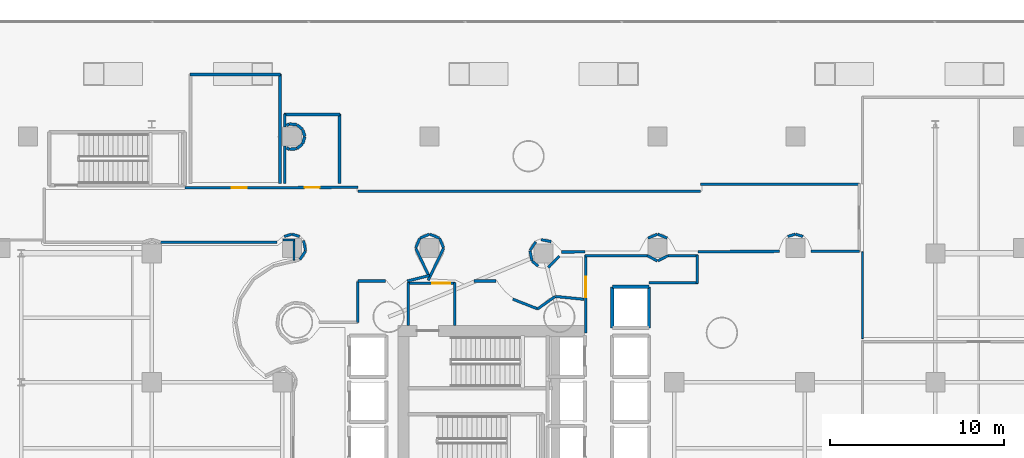
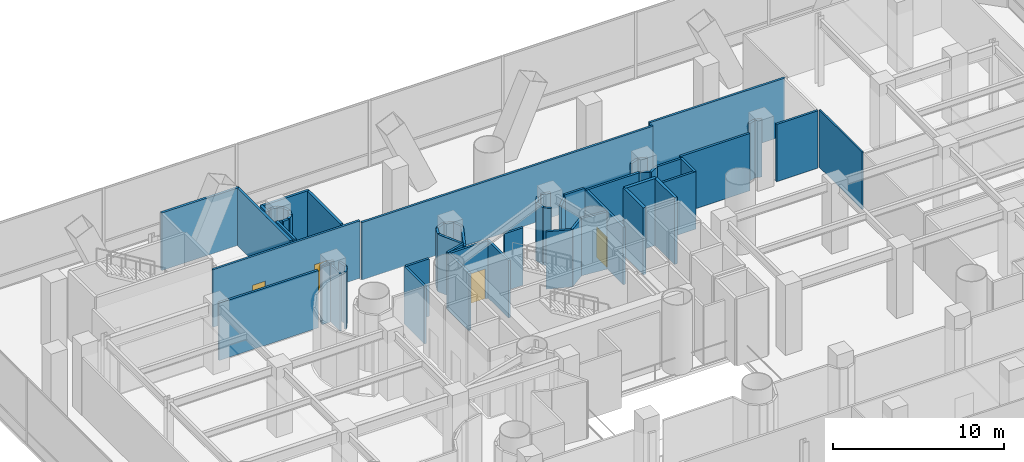
# One storey, part 34 of 42: 63 walls, 4 doors, 4 openings.
"""IFC4 building model written with IfcOpenShell, lengths in metres."""

from ifc_helpers import new_model, si_unit, direction, frame, frame_2d, origin, place, context, subcontext, project, spatial, rectangle, extrude, material, layer, layer_set, type_object, element, fill, save


model = new_model("IFC4")

# Units and contexts
model_context = context("Model", 3, precision=1e-05, world=origin(), true_north=direction((0.0, 1.0)))
body_context = subcontext(model_context, "Body", "Model", "MODEL_VIEW")
ifc_project = project(units=[si_unit("LENGTHUNIT", "METRE"), si_unit("AREAUNIT", "SQUARE_METRE"), si_unit("VOLUMEUNIT", "CUBIC_METRE"), si_unit("PLANEANGLEUNIT", "RADIAN"), si_unit("MASSUNIT", "GRAM", prefix="KILO")], contexts=[model_context])

# Site, building, storey
site_placement = place(None, origin())
site = spatial("IfcSite", under=ifc_project, at=site_placement, CompositionType="ELEMENT")
building_placement = place(site_placement, origin())
building = spatial("IfcBuilding", under=site, at=building_placement, Name="Qianvela Tower", CompositionType="ELEMENT")
storey_placement = place(building_placement, frame((0.0, 0.0, 6.0)))
storey = spatial("IfcBuildingStorey", under=building, at=storey_placement, Name="L01", CompositionType="ELEMENT", Elevation=6.0)

# Wall
ifc_material_1 = material(Name="Fire-Rated Acoustic Gypsum Board")
ifc_layer_1 = layer(ifc_material_1, 0.14990234375)
ifc_layer_set_1 = layer_set([ifc_layer_1], Name="Fire-Rated Acoustic Gypsum Board")
wall_type_1 = type_object("IfcWallType", Name="WT-CORR-150", PredefinedType="PARTITIONING", material=ifc_layer_set_1)
wall_1_placement = place(storey_placement, frame((29.73095703125, 33.05810546875, 0.0), z_axis=(0.0, 0.0, 1.0), x_axis=(0.0, 1.0, 0.0)))
element("IfcWall", 1, at=wall_1_placement, inside=storey, type_object=wall_type_1, Name="L01 Partition 2", PredefinedType="PARTITIONING", context=body_context, shape_type="SweptSolid", body=[
    extrude(rectangle(XDim=2.4619140625, YDim=0.14990234375, at=frame_2d((1.23095703125, 0.0))), origin(), (0.0, 0.0, 1.0), 4.10009765625),
])

# Wall, opening, door
wall_2_placement = place(storey_placement, frame((29.699951171875, 35.489013671875, 0.0), z_axis=(0.0, 0.0, 1.0), x_axis=(1.0, 0.0, 0.0)))
wall_2 = element("IfcWall", 2, at=wall_2_placement, inside=storey, type_object=wall_type_1, Name="L01 Partition 3", PredefinedType="PARTITIONING", context=body_context, shape_type="SweptSolid", body=[
    extrude(rectangle(XDim=2.719970703125, YDim=0.14990234375, at=frame_2d((1.35986328125, 0.0))), origin(), (0.0, 0.0, 1.0), 4.10009765625),
])
opening_1_placement = place(wall_2_placement, frame((1.39501953125, 0.0, 0.0)))
opening_1 = element("IfcOpeningElement", 3, at=opening_1_placement, cuts=wall_2, Name="Opening D-PL1", PredefinedType="OPENING", context=body_context, shape_type="SweptSolid", body=[
    extrude(rectangle(XDim=1.050048828125, YDim=2.14990234375, at=frame_2d((0.52490234375, 1.074951171875))), frame((0.0, 0.0849609375, 0.0), z_axis=(0.0, -1.0, 0.0), x_axis=(1.0, 0.0, 0.0)), (0.0, 0.0, 1.0), 0.169921875),
])
ifc_material_2 = material(Name="Insulated Steel Fire Door Q355B", Category="steel")
door_type_1 = type_object("IfcDoorType", Name="DT-PLANT-FD90", OperationType="NOTDEFINED", PredefinedType="DOOR", material=ifc_material_2)
door_1_placement = place(opening_1_placement, origin())
door_1 = element("IfcDoor", 4, at=door_1_placement, inside=storey, type_object=door_type_1, Name="L01 Door L01 Firefighting Lobby North to L01 Concourse Gallery Corridor", OperationType="SINGLE_SWING_RIGHT", OverallHeight=2.14990234375, OverallWidth=1.050048828125, PredefinedType="DOOR", context=body_context, shape_type="SweptSolid", body=[
    extrude(rectangle(XDim=1.050048828125, YDim=2.14990234375, at=frame_2d((0.52490234375, 1.074951171875))), frame((0.0, 0.02490234375, 0.0), z_axis=(0.0, -1.0, 0.0), x_axis=(1.0, 0.0, 0.0)), (0.0, 0.0, 1.0), 0.050048828125),
])
fill(opening_1, door_1)

# Wall
wall_3_placement = place(storey_placement, frame((32.388916015625, 35.52001953125, 0.0), z_axis=(0.0, 0.0, 1.0), x_axis=(0.0, -1.0, 0.0)))
element("IfcWall", 5, at=wall_3_placement, inside=storey, type_object=wall_type_1, Name="L01 Partition 4", PredefinedType="PARTITIONING", context=body_context, shape_type="SweptSolid", body=[
    extrude(rectangle(XDim=2.4619140625, YDim=0.14990234375, at=frame_2d((1.23095703125, 0.0))), origin(), (0.0, 0.0, 1.0), 4.10009765625),
])

# Wall, opening, door
wall_4_placement = place(storey_placement, frame((39.910888671875, 32.639892578125, 0.0), z_axis=(0.0, 0.0, 1.0), x_axis=(0.0, 1.0, 0.0)))
wall_4 = element("IfcWall", 6, at=wall_4_placement, inside=storey, type_object=wall_type_1, Name="L01 Partition 14", PredefinedType="PARTITIONING", context=body_context, shape_type="SweptSolid", body=[
    extrude(rectangle(XDim=4.460205078125, YDim=0.14990234375, at=frame_2d((2.22998046875, 0.0))), origin(), (0.0, 0.0, 1.0), 4.10009765625),
])
opening_2_placement = place(wall_4_placement, frame((2.027587890625, 0.0, 0.0)))
opening_2 = element("IfcOpeningElement", 7, at=opening_2_placement, cuts=wall_4, Name="Opening D-LB1", PredefinedType="OPENING", context=body_context, shape_type="SweptSolid", body=[
    extrude(rectangle(XDim=1.199951171875, YDim=2.14990234375, at=frame_2d((0.60009765625, 1.074951171875))), frame((0.0, 0.0849609375, 0.0), z_axis=(0.0, -1.0, 0.0), x_axis=(1.0, 0.0, 0.0)), (0.0, 0.0, 1.0), 0.169921875),
])
ifc_material_3 = material(Name="Glazed Fire-Rated Steel Frame", Category="steel")
door_type_2 = type_object("IfcDoorType", Name="DT-LOBBY-FD90", OperationType="NOTDEFINED", PredefinedType="DOOR", material=ifc_material_3)
door_2_placement = place(opening_2_placement, origin())
door_2 = element("IfcDoor", 8, at=door_2_placement, inside=storey, type_object=door_type_2, Name="L01 Door L01 Lift Lobby to L01 Concourse Gallery Corridor", OperationType="SINGLE_SWING_LEFT", OverallHeight=2.14990234375, OverallWidth=1.199951171875, PredefinedType="DOOR", context=body_context, shape_type="SweptSolid", body=[
    extrude(rectangle(XDim=1.199951171875, YDim=2.14990234375, at=frame_2d((0.60009765625, 1.074951171875))), frame((0.0, 0.02490234375, 0.0), z_axis=(0.0, -1.0, 0.0), x_axis=(1.0, 0.0, 0.0)), (0.0, 0.0, 1.0), 0.050048828125),
])
fill(opening_2, door_2)

# Walls
wall_5_placement = place(storey_placement, frame((39.8798828125, 37.069091796875, 0.0), z_axis=(0.0, 0.0, 1.0), x_axis=(1.0, 0.0, 0.0)))
element("IfcWall", 9, at=wall_5_placement, inside=storey, type_object=wall_type_1, Name="L01 Partition 15", PredefinedType="PARTITIONING", context=body_context, shape_type="SweptSolid", body=[
    extrude(rectangle(XDim=3.578857421875, YDim=0.14990234375, at=frame_2d((1.78955078125, 0.0))), origin(), (0.0, 0.0, 1.0), 4.10009765625),
])
wall_6_placement = place(storey_placement, frame((43.4443359375, 37.072509765625, 0.0), z_axis=(0.0, 0.0, 1.0), x_axis=(0.883949192033, -0.467582961521, 0.0)))
element("IfcWall", 10, at=wall_6_placement, inside=storey, type_object=wall_type_1, Name="L01 Partition 16", PredefinedType="PARTITIONING", context=body_context, shape_type="SweptSolid", body=[
    extrude(rectangle(XDim=0.66259765625, YDim=0.14990234375, at=frame_2d((0.331298828125, 0.0))), origin(), (0.0, 0.0, 1.0), 4.10009765625),
])
wall_7_placement = place(storey_placement, frame((44.05908203125, 36.7626953125, 0.0), z_axis=(0.0, 0.0, 1.0), x_axis=(0.884029711754, 0.46743071009, 0.0)))
element("IfcWall", 11, at=wall_7_placement, inside=storey, type_object=wall_type_1, Name="L01 Partition 17", PredefinedType="PARTITIONING", context=body_context, shape_type="SweptSolid", body=[
    extrude(rectangle(XDim=0.662841796875, YDim=0.14990234375, at=frame_2d((0.33154296875, 0.0))), origin(), (0.0, 0.0, 1.0), 4.10009765625),
])
wall_8_placement = place(storey_placement, frame((44.63037109375, 37.069091796875, 0.0), z_axis=(0.0, 0.0, 1.0), x_axis=(1.0, 0.0, 0.0)))
element("IfcWall", 12, at=wall_8_placement, inside=storey, type_object=wall_type_1, Name="L01 Partition 18", PredefinedType="PARTITIONING", context=body_context, shape_type="SweptSolid", body=[
    extrude(rectangle(XDim=1.729736328125, YDim=0.14990234375, at=frame_2d((0.86474609375, 0.0))), origin(), (0.0, 0.0, 1.0), 4.10009765625),
])
wall_9_placement = place(storey_placement, frame((46.3291015625, 37.10009765625, 0.0), z_axis=(0.0, 0.0, 1.0), x_axis=(0.0, -1.0, 0.0)))
element("IfcWall", 13, at=wall_9_placement, inside=storey, type_object=wall_type_1, Name="L01 Partition 19", PredefinedType="PARTITIONING", context=body_context, shape_type="SweptSolid", body=[
    extrude(rectangle(XDim=1.6201171875, YDim=0.14990234375, at=frame_2d((0.81005859375, 0.0))), origin(), (0.0, 0.0, 1.0), 4.10009765625),
])
wall_10_placement = place(storey_placement, frame((46.360107421875, 35.510986328125, 0.0), z_axis=(0.0, 0.0, 1.0), x_axis=(-1.0, 0.0, 0.0)))
element("IfcWall", 14, at=wall_10_placement, inside=storey, type_object=wall_type_1, Name="L01 Partition 20 seg 1", PredefinedType="PARTITIONING", context=body_context, shape_type="SweptSolid", body=[
    extrude(rectangle(XDim=2.81005859375, YDim=0.14990234375, at=frame_2d((1.405029296875, 0.0))), origin(), (0.0, 0.0, 1.0), 4.10009765625),
])
for number, where, z_axis, x_axis, name in (
    (15, (23.498291015625, 36.842529296875, 0.0), (0.0, 0.0, 1.0), (0.555560344141, 0.831476219755, 0.0), "L01 Partition 106"),
    (16, (23.830078125, 37.355712890625, 0.0), (0.0, 0.0, 1.0), (-0.195080566316, 0.980787220882, 0.0), "L01 Partition 107"),
):
    element("IfcWall", number, at=place(storey_placement, frame(where, z_axis=z_axis, x_axis=x_axis)), inside=storey, type_object=wall_type_1, Name=name, PredefinedType="PARTITIONING", context=body_context, shape_type="SweptSolid", body=[
        extrude(rectangle(XDim=0.58935546875, YDim=0.14990234375, at=frame_2d((0.294677734375, 0.0))), origin(), (0.0, 0.0, 1.0), 4.10009765625),
    ])
for number, where, z_axis, x_axis, name in (
    (17, (23.4814453125, 38.169921875, 0.0), (0.0, 0.0, 1.0), (-0.956858887343, 0.290553041134, 0.0), "L01 Partition 108"),
    (18, (23.03564453125, 38.2998046875, 0.0), (0.0, 0.0, 1.0), (-0.956858887343, -0.290553041134, 0.0), "L01 Partition 109"),
):
    element("IfcWall", number, at=place(storey_placement, frame(where, z_axis=z_axis, x_axis=x_axis)), inside=storey, type_object=wall_type_1, Name=name, PredefinedType="PARTITIONING", context=body_context, shape_type="SweptSolid", body=[
        extrude(rectangle(XDim=0.447021484375, YDim=0.14990234375, at=frame_2d((0.2236328125, 0.0))), origin(), (0.0, 0.0, 1.0), 4.10009765625),
    ])
wall_11_placement = place(storey_placement, frame((22.2021484375, 37.8310546875, 0.0), z_axis=(0.0, 0.0, 1.0), x_axis=(-1.0, 0.0, 0.0)))
element("IfcWall", 19, at=wall_11_placement, inside=storey, type_object=wall_type_1, Name="L01 Partition 110", PredefinedType="PARTITIONING", context=body_context, shape_type="SweptSolid", body=[
    extrude(rectangle(XDim=6.698974609375, YDim=0.14990234375, at=frame_2d((3.349609375, 0.0))), origin(), (0.0, 0.0, 1.0), 4.10009765625),
])

# Wall, openings, doors
wall_12_placement = place(storey_placement, frame((16.89990234375, 40.955810546875, 0.0), z_axis=(0.0, 0.0, 1.0), x_axis=(0.999994432489, 0.003336913407, 0.0)))
wall_12 = element("IfcWall", 20, at=wall_12_placement, inside=storey, type_object=wall_type_1, Name="L01 Partition 115 seg 2", PredefinedType="PARTITIONING", context=body_context, shape_type="SweptSolid", body=[
    extrude(rectangle(XDim=9.9501953125, YDim=0.14990234375, at=frame_2d((4.97509765625, 0.0))), origin(), (0.0, 0.0, 1.0), 4.10009765625),
])
opening_3_placement = place(wall_12_placement, frame((6.87255859375, 0.0, 0.0)))
opening_3 = element("IfcOpeningElement", 21, at=opening_3_placement, cuts=wall_12, Name="Opening D-WC1", PredefinedType="OPENING", context=body_context, shape_type="SweptSolid", body=[
    extrude(rectangle(XDim=0.860107421875, YDim=2.050048828125, at=frame_2d((0.43017578125, 1.02490234375))), frame((0.0, 0.0849609375, 0.0), z_axis=(0.0, -1.0, 0.0), x_axis=(1.0, 0.0, 0.0)), (0.0, 0.0, 1.0), 0.169921875),
])
opening_4_placement = place(wall_12_placement, frame((2.677734375, 0.0, 0.0)))
opening_4 = element("IfcOpeningElement", 22, at=opening_4_placement, cuts=wall_12, Name="Opening D-WC1", PredefinedType="OPENING", context=body_context, shape_type="SweptSolid", body=[
    extrude(rectangle(XDim=0.860107421875, YDim=2.050048828125, at=frame_2d((0.43017578125, 1.02490234375))), frame((0.0, 0.0849609375, 0.0), z_axis=(0.0, -1.0, 0.0), x_axis=(1.0, 0.0, 0.0)), (0.0, 0.0, 1.0), 0.169921875),
])
ifc_material_4 = material(Name="Moisture-Sealed Acoustic Timber Door", Category="wood")
door_type_3 = type_object("IfcDoorType", Name="DT-WC-860", OperationType="NOTDEFINED", PredefinedType="DOOR", material=ifc_material_4)
door_3_placement = place(opening_3_placement, origin())
door_3 = element("IfcDoor", 23, at=door_3_placement, inside=storey, type_object=door_type_3, Name="L01 Door L01 Accessible WC to L01 Concourse Gallery Corridor", OperationType="SINGLE_SWING_RIGHT", OverallHeight=2.050048828125, OverallWidth=0.860107421875, PredefinedType="DOOR", context=body_context, shape_type="SweptSolid", body=[
    extrude(rectangle(XDim=0.860107421875, YDim=2.050048828125, at=frame_2d((0.43017578125, 1.02490234375))), frame((0.0, 0.02490234375, 0.0), z_axis=(0.0, -1.0, 0.0), x_axis=(1.0, 0.0, 0.0)), (0.0, 0.0, 1.0), 0.050048828125),
])
fill(opening_3, door_3)
door_4_placement = place(opening_4_placement, origin())
door_4 = element("IfcDoor", 24, at=door_4_placement, inside=storey, type_object=door_type_3, Name="L01 Door L01 Public Washrooms to L01 Concourse Gallery Corridor", OperationType="SINGLE_SWING_RIGHT", OverallHeight=2.050048828125, OverallWidth=0.860107421875, PredefinedType="DOOR", context=body_context, shape_type="SweptSolid", body=[
    extrude(rectangle(XDim=0.860107421875, YDim=2.050048828125, at=frame_2d((0.43017578125, 1.02490234375))), frame((0.0, 0.02490234375, 0.0), z_axis=(0.0, -1.0, 0.0), x_axis=(1.0, 0.0, 0.0)), (0.0, 0.0, 1.0), 0.050048828125),
])
fill(opening_4, door_4)

# Walls
wall_13_placement = place(storey_placement, frame((26.85009765625, 40.76904296875, 0.0), z_axis=(0.0, 0.0, 1.0), x_axis=(1.0, 0.0, 0.0)))
element("IfcWall", 25, at=wall_13_placement, inside=storey, type_object=wall_type_1, Name="L01 Partition 116", PredefinedType="PARTITIONING", context=body_context, shape_type="SweptSolid", body=[
    extrude(rectangle(XDim=19.64990234375, YDim=0.14990234375, at=frame_2d((9.824951171875, 0.0))), origin(), (0.0, 0.0, 1.0), 4.10009765625),
])
wall_14_placement = place(storey_placement, frame((46.5, 41.1689453125, 0.0), z_axis=(0.0, 0.0, 1.0), x_axis=(1.0, 0.0, 0.0)))
element("IfcWall", 26, at=wall_14_placement, inside=storey, type_object=wall_type_1, Name="L01 Partition 117", PredefinedType="PARTITIONING", context=body_context, shape_type="SweptSolid", body=[
    extrude(rectangle(XDim=9.14990234375, YDim=0.14990234375, at=frame_2d((4.574951171875, 0.0))), origin(), (0.0, 0.0, 1.0), 4.10009765625),
])
wall_15_placement = place(storey_placement, frame((55.64990234375, 37.321044921875, 0.0), z_axis=(0.0, 0.0, 1.0), x_axis=(-0.999996992677, -0.002452475764, 0.0)))
element("IfcWall", 27, at=wall_15_placement, inside=storey, type_object=wall_type_1, Name="L01 Partition 119", PredefinedType="PARTITIONING", context=body_context, shape_type="SweptSolid", body=[
    extrude(rectangle(XDim=2.787353515625, YDim=0.14990234375, at=frame_2d((1.3935546875, 0.0))), origin(), (0.0, 0.0, 1.0), 4.10009765625),
])
for number, where, z_axis, x_axis, name in (
    (28, (52.39208984375, 38.169921875, 0.0), (0.0, 0.0, 1.0), (-0.956858887343, 0.290553041134, 0.0), "L01 Partition 121"),
    (29, (51.9462890625, 38.2998046875, 0.0), (0.0, 0.0, 1.0), (-0.956858887343, -0.290553041134, 0.0), "L01 Partition 122"),
):
    element("IfcWall", number, at=place(storey_placement, frame(where, z_axis=z_axis, x_axis=x_axis)), inside=storey, type_object=wall_type_1, Name=name, PredefinedType="PARTITIONING", context=body_context, shape_type="SweptSolid", body=[
        extrude(rectangle(XDim=0.447021484375, YDim=0.14990234375, at=frame_2d((0.2236328125, 0.0))), origin(), (0.0, 0.0, 1.0), 4.10009765625),
    ])
wall_16_placement = place(storey_placement, frame((51.046142578125, 37.3095703125, 0.0), z_axis=(0.0, 0.0, 1.0), x_axis=(-0.999996873061, -0.002500773674, 0.0)))
element("IfcWall", 30, at=wall_16_placement, inside=storey, type_object=wall_type_1, Name="L01 Partition 124 seg 1", PredefinedType="PARTITIONING", context=body_context, shape_type="SweptSolid", body=[
    extrude(rectangle(XDim=4.68603515625, YDim=0.14990234375, at=frame_2d((2.343017578125, 0.0))), origin(), (0.0, 0.0, 1.0), 4.10009765625),
])
for number, where, z_axis, x_axis, name in (
    (31, (44.600830078125, 38.072998046875, 0.0), (0.0, 0.0, 1.0), (-0.923835035561, 0.382790839847, 0.0), "L01 Partition 126"),
    (32, (44.03271484375, 38.298583984375, 0.0), (0.0, 0.0, 1.0), (-0.923835035561, -0.382790839847, 0.0), "L01 Partition 127"),
):
    element("IfcWall", number, at=place(storey_placement, frame(where, z_axis=z_axis, x_axis=x_axis)), inside=storey, type_object=wall_type_1, Name=name, PredefinedType="PARTITIONING", context=body_context, shape_type="SweptSolid", body=[
        extrude(rectangle(XDim=0.58935546875, YDim=0.14990234375, at=frame_2d((0.294677734375, 0.0))), origin(), (0.0, 0.0, 1.0), 4.10009765625),
    ])
wall_17_placement = place(storey_placement, frame((39.8798828125, 37.281494140625, 0.0), z_axis=(0.0, 0.0, 1.0), x_axis=(-0.999997273456, -0.002335183143, 0.0)))
element("IfcWall", 33, at=wall_17_placement, inside=storey, type_object=wall_type_1, Name="L01 Partition 129 seg 1", PredefinedType="PARTITIONING", context=body_context, shape_type="SweptSolid", body=[
    extrude(rectangle(XDim=1.359130859375, YDim=0.14990234375, at=frame_2d((0.6796875, 0.0))), origin(), (0.0, 0.0, 1.0), 4.10009765625),
])
for number, where, z_axis, x_axis, name in (
    (34, (37.933837890625, 37.87060546875, 0.0), (0.0, 0.0, 1.0), (-0.980787220882, 0.195080566316, 0.0), "L01 Partition 131"),
    (35, (37.04638671875, 37.857421875, 0.0), (0.0, 0.0, 1.0), (-0.555560344141, -0.831476219755, 0.0), "L01 Partition 132"),
    (36, (36.71435546875, 37.34423828125, 0.0), (0.0, 0.0, 1.0), (0.195080566316, -0.980787220882, 0.0), "L01 Partition 133"),
):
    element("IfcWall", number, at=place(storey_placement, frame(where, z_axis=z_axis, x_axis=x_axis)), inside=storey, type_object=wall_type_1, Name=name, PredefinedType="PARTITIONING", context=body_context, shape_type="SweptSolid", body=[
        extrude(rectangle(XDim=0.58935546875, YDim=0.14990234375, at=frame_2d((0.294677734375, 0.0))), origin(), (0.0, 0.0, 1.0), 4.10009765625),
    ])
wall_18_placement = place(storey_placement, frame((36.840087890625, 36.748291015625, 0.0), z_axis=(0.0, 0.0, 1.0), x_axis=(0.773032183029, -0.634366805564, 0.0)))
element("IfcWall", 37, at=wall_18_placement, inside=storey, type_object=wall_type_1, Name="L01 Partition 134", PredefinedType="PARTITIONING", context=body_context, shape_type="SweptSolid", body=[
    extrude(rectangle(XDim=0.447265625, YDim=0.14990234375, at=frame_2d((0.2236328125, 0.0))), origin(), (0.0, 0.0, 1.0), 4.10009765625),
])
wall_19_placement = place(storey_placement, frame((37.760009765625, 36.385009765625, 0.0), z_axis=(0.0, 0.0, 1.0), x_axis=(0.698452825949, 0.715656097524, 0.0)))
element("IfcWall", 38, at=wall_19_placement, inside=storey, type_object=wall_type_1, Name="L01 Partition 135", PredefinedType="PARTITIONING", context=body_context, shape_type="SweptSolid", body=[
    extrude(rectangle(XDim=0.92236328125, YDim=0.14990234375, at=frame_2d((0.461181640625, 0.0))), origin(), (0.0, 0.0, 1.0), 4.10009765625),
])
wall_20_placement = place(storey_placement, frame((39.821044921875, 34.561279296875, 0.0), z_axis=(0.0, 0.0, 1.0), x_axis=(-0.995195288054, 0.09790984953, 0.0)))
element("IfcWall", 39, at=wall_20_placement, inside=storey, type_object=wall_type_1, Name="L01 Partition 138", PredefinedType="PARTITIONING", context=body_context, shape_type="SweptSolid", body=[
    extrude(rectangle(XDim=1.6533203125, YDim=0.14990234375, at=frame_2d((0.82666015625, 0.0))), origin(), (0.0, 0.0, 1.0), 4.10009765625),
])
wall_21_placement = place(storey_placement, frame((38.15478515625, 34.7177734375, 0.0), z_axis=(0.0, 0.0, 1.0), x_axis=(-0.815749774427, -0.578404966717, 0.0)))
element("IfcWall", 40, at=wall_21_placement, inside=storey, type_object=wall_type_1, Name="L01 Partition 139", PredefinedType="PARTITIONING", context=body_context, shape_type="SweptSolid", body=[
    extrude(rectangle(XDim=1.240478515625, YDim=0.14990234375, at=frame_2d((0.6201171875, 0.0))), origin(), (0.0, 0.0, 1.0), 4.10009765625),
])
wall_22_placement = place(storey_placement, frame((37.172119140625, 34.00390625, 0.0), z_axis=(0.0, 0.0, 1.0), x_axis=(-0.930972145639, 0.36509021357, 0.0)))
element("IfcWall", 41, at=wall_22_placement, inside=storey, type_object=wall_type_1, Name="L01 Partition 140", PredefinedType="PARTITIONING", context=body_context, shape_type="SweptSolid", body=[
    extrude(rectangle(XDim=1.54541015625, YDim=0.14990234375, at=frame_2d((0.772705078125, 0.0))), origin(), (0.0, 0.0, 1.0), 4.10009765625),
])
wall_23_placement = place(storey_placement, frame((34.7548828125, 35.611083984375, 0.0), z_axis=(0.0, 0.0, 1.0), x_axis=(-1.0, 0.0, 0.0)))
element("IfcWall", 42, at=wall_23_placement, inside=storey, type_object=wall_type_1, Name="L01 Partition 142", PredefinedType="PARTITIONING", context=body_context, shape_type="SweptSolid", body=[
    extrude(rectangle(XDim=1.25537109375, YDim=0.14990234375, at=frame_2d((0.627685546875, 0.0))), origin(), (0.0, 0.0, 1.0), 4.10009765625),
])
wall_24_placement = place(storey_placement, frame((30.868408203125, 35.646240234375, 0.0), z_axis=(0.0, 0.0, 1.0), x_axis=(0.43338780703, 0.901207528108, 0.0)))
element("IfcWall", 43, at=wall_24_placement, inside=storey, type_object=wall_type_1, Name="L01 Partition 145", PredefinedType="PARTITIONING", context=body_context, shape_type="SweptSolid", body=[
    extrude(rectangle(XDim=2.0419921875, YDim=0.14990234375, at=frame_2d((1.02099609375, 0.0))), origin(), (0.0, 0.0, 1.0), 4.10009765625),
])
wall_25_placement = place(storey_placement, frame((31.75390625, 37.511962890625, 0.0), z_axis=(0.0, 0.0, 1.0), x_axis=(-0.382437183296, 0.923981493772, 0.0)))
element("IfcWall", 44, at=wall_25_placement, inside=storey, type_object=wall_type_1, Name="L01 Partition 146", PredefinedType="PARTITIONING", context=body_context, shape_type="SweptSolid", body=[
    extrude(rectangle(XDim=0.589111328125, YDim=0.14990234375, at=frame_2d((0.29443359375, 0.0))), origin(), (0.0, 0.0, 1.0), 4.10009765625),
])
for number, where, z_axis, x_axis, name in (
    (45, (31.51171875, 38.072998046875, 0.0), (0.0, 0.0, 1.0), (-0.923835035561, 0.382790839847, 0.0), "L01 Partition 147"),
    (46, (30.943603515625, 38.298583984375, 0.0), (0.0, 0.0, 1.0), (-0.923835035561, -0.382790839847, 0.0), "L01 Partition 148"),
    (47, (30.38232421875, 38.056396484375, 0.0), (0.0, 0.0, 1.0), (-0.382790839847, -0.923835035561, 0.0), "L01 Partition 149"),
):
    element("IfcWall", number, at=place(storey_placement, frame(where, z_axis=z_axis, x_axis=x_axis)), inside=storey, type_object=wall_type_1, Name=name, PredefinedType="PARTITIONING", context=body_context, shape_type="SweptSolid", body=[
        extrude(rectangle(XDim=0.58935546875, YDim=0.14990234375, at=frame_2d((0.294677734375, 0.0))), origin(), (0.0, 0.0, 1.0), 4.10009765625),
    ])
wall_26_placement = place(storey_placement, frame((30.157470703125, 37.48681640625, 0.0), z_axis=(0.0, 0.0, 1.0), x_axis=(0.427353044203, -0.904084827663, 0.0)))
element("IfcWall", 48, at=wall_26_placement, inside=storey, type_object=wall_type_1, Name="L01 Partition 150", PredefinedType="PARTITIONING", context=body_context, shape_type="SweptSolid", body=[
    extrude(rectangle(XDim=1.77490234375, YDim=0.14990234375, at=frame_2d((0.887451171875, 0.0))), origin(), (0.0, 0.0, 1.0), 4.10009765625),
])
wall_27_placement = place(storey_placement, frame((30.9365234375, 35.925537109375, 0.0), z_axis=(0.0, 0.0, 1.0), x_axis=(-0.969933389944, -0.243370538628, 0.0)))
element("IfcWall", 49, at=wall_27_placement, inside=storey, type_object=wall_type_1, Name="L01 Partition 151", PredefinedType="PARTITIONING", context=body_context, shape_type="SweptSolid", body=[
    extrude(rectangle(XDim=1.30712890625, YDim=0.14990234375, at=frame_2d((0.653564453125, 0.0))), origin(), (0.0, 0.0, 1.0), 4.10009765625),
])
wall_28_placement = place(storey_placement, frame((28.411376953125, 35.611083984375, 0.0), z_axis=(0.0, 0.0, 1.0), x_axis=(-1.0, 0.0, 0.0)))
element("IfcWall", 50, at=wall_28_placement, inside=storey, type_object=wall_type_1, Name="L01 Partition 154", PredefinedType="PARTITIONING", context=body_context, shape_type="SweptSolid", body=[
    extrude(rectangle(XDim=1.561279296875, YDim=0.14990234375, at=frame_2d((0.78076171875, 0.0))), origin(), (0.0, 0.0, 1.0), 4.10009765625),
])
wall_29_placement = place(storey_placement, frame((26.819091796875, 35.580078125, 0.0), z_axis=(0.0, 0.0, 1.0), x_axis=(0.0, -1.0, 0.0)))
element("IfcWall", 51, at=wall_29_placement, inside=storey, type_object=wall_type_1, Name="L01 Partition 155", PredefinedType="PARTITIONING", context=body_context, shape_type="SweptSolid", body=[
    extrude(rectangle(XDim=2.362548828125, YDim=0.14990234375, at=frame_2d((1.18115234375, 0.0))), origin(), (0.0, 0.0, 1.0), 4.10009765625),
])
ifc_material_5 = material(Name="Lightweight Gypsum Room Partition")
ifc_layer_2 = layer(ifc_material_5, 0.10498046875)
ifc_layer_set_2 = layer_set([ifc_layer_2], Name="Lightweight Gypsum Room Partition")
wall_type_2 = type_object("IfcWallType", Name="WT-PART-105", PredefinedType="PARTITIONING", material=ifc_layer_set_2)
wall_30_placement = place(storey_placement, frame((55.81103515625, 32.300048828125, 0.0), z_axis=(0.0, 0.0, 1.0), x_axis=(0.0, 1.0, 0.0)))
element("IfcWall", 52, at=wall_30_placement, inside=storey, type_object=wall_type_2, Name="L01 Partition 255 seg 1", PredefinedType="PARTITIONING", context=body_context, shape_type="SweptSolid", body=[
    extrude(rectangle(XDim=4.989990234375, YDim=0.10498046875, at=frame_2d((2.4951171875, 0.0))), origin(), (0.0, 0.0, 1.0), 4.10009765625),
])
wall_31_placement = place(storey_placement, frame((23.1689453125, 38.0, 0.0), z_axis=(0.0, 0.0, 1.0), x_axis=(0.0, -1.0, 0.0)))
element("IfcWall", 53, at=wall_31_placement, inside=storey, type_object=wall_type_2, Name="L01 Partition 285", PredefinedType="PARTITIONING", context=body_context, shape_type="SweptSolid", body=[
    extrude(rectangle(XDim=1.18603515625, YDim=0.10498046875, at=frame_2d((0.593017578125, 0.0))), origin(), (0.0, 0.0, 1.0), 4.10009765625),
])
ifc_material_6 = material(Name="Insulated Gypsum Stud Partition")
ifc_layer_3 = layer(ifc_material_6, 0.1201171875)
ifc_layer_set_3 = layer_set([ifc_layer_3], Name="Insulated Gypsum Stud Partition")
wall_type_3 = type_object("IfcWallType", Name="WT-PART-120", PredefinedType="PARTITIONING", material=ifc_layer_set_3)
wall_32_placement = place(storey_placement, frame((22.543701171875, 37.968994140625, 0.0), z_axis=(0.0, 0.0, 1.0), x_axis=(1.0, 0.0, 0.0)))
element("IfcWall", 54, at=wall_32_placement, inside=storey, type_object=wall_type_3, Name="L01 Partition 284", PredefinedType="PARTITIONING", context=body_context, shape_type="SweptSolid", body=[
    extrude(rectangle(XDim=0.65625, YDim=0.1201171875, at=frame_2d((0.328125, 0.0))), origin(), (0.0, 0.0, 1.0), 4.10009765625),
])
ifc_material_7 = material(Name="Sanitary Service Chase Partition")
ifc_layer_4 = layer(ifc_material_7, 0.1650390625)
ifc_layer_set_4 = layer_set([ifc_layer_4], Name="Sanitary Service Chase Partition")
wall_type_4 = type_object("IfcWallType", Name="WT-PLUMB-165", PredefinedType="PLUMBINGWALL", material=ifc_layer_set_4)
wall_33_placement = place(storey_placement, frame((22.631103515625, 41.199951171875, 0.0), z_axis=(0.0, 0.0, 1.0), x_axis=(0.0, 1.0, 0.0)))
element("IfcWall", 55, at=wall_33_placement, inside=storey, type_object=wall_type_4, Name="L01 Partition 202", PredefinedType="PLUMBINGWALL", context=body_context, shape_type="SweptSolid", body=[
    extrude(rectangle(XDim=2.15087890625, YDim=0.1650390625, at=frame_2d((1.075439453125, 0.0))), origin(), (0.0, 0.0, 1.0), 4.10009765625),
])
wall_34_placement = place(storey_placement, frame((22.734375, 43.251953125, 0.0), z_axis=(0.0, 0.0, 1.0), x_axis=(0.901001669759, -0.433815618773, 0.0)))
element("IfcWall", 56, at=wall_34_placement, inside=storey, type_object=wall_type_4, Name="L01 Partition 203", PredefinedType="PLUMBINGWALL", context=body_context, shape_type="SweptSolid", body=[
    extrude(rectangle(XDim=0.175537109375, YDim=0.1650390625, at=frame_2d((0.087890625, 0.0))), origin(), (0.0, 0.0, 1.0), 4.10009765625),
])
for number, where, z_axis, x_axis, name in (
    (57, (22.9091796875, 43.1728515625, 0.0), (0.0, 0.0, 1.0), (0.995211591236, 0.097743995568, 0.0), "L01 Partition 204"),
    (58, (23.3359375, 43.22021484375, 0.0), (0.0, 0.0, 1.0), (0.773006334928, 0.634398302458, 0.0), "L01 Partition 205"),
):
    element("IfcWall", number, at=place(storey_placement, frame(where, z_axis=z_axis, x_axis=x_axis)), inside=storey, type_object=wall_type_4, Name=name, PredefinedType="PLUMBINGWALL", context=body_context, shape_type="SweptSolid", body=[
        extrude(rectangle(XDim=0.412109375, YDim=0.1650390625, at=frame_2d((0.2060546875, 0.0))), origin(), (0.0, 0.0, 1.0), 4.10009765625),
    ])
for number, where, z_axis, x_axis, name in (
    (59, (23.66455078125, 43.49658203125, 0.0), (0.0, 0.0, 1.0), (0.290171749114, 0.956974584833, 0.0), "L01 Partition 206"),
    (60, (23.7841796875, 43.908935546875, 0.0), (0.0, 0.0, 1.0), (-0.290171749114, 0.956974584833, 0.0), "L01 Partition 207"),
):
    element("IfcWall", number, at=place(storey_placement, frame(where, z_axis=z_axis, x_axis=x_axis)), inside=storey, type_object=wall_type_4, Name=name, PredefinedType="PLUMBINGWALL", context=body_context, shape_type="SweptSolid", body=[
        extrude(rectangle(XDim=0.412353515625, YDim=0.1650390625, at=frame_2d((0.2060546875, 0.0))), origin(), (0.0, 0.0, 1.0), 4.10009765625),
    ])
for number, where, z_axis, x_axis, name in (
    (61, (23.654541015625, 44.318359375, 0.0), (0.0, 0.0, 1.0), (-0.773006334928, 0.634398302458, 0.0), "L01 Partition 208"),
    (62, (23.3193359375, 44.5869140625, 0.0), (0.0, 0.0, 1.0), (-0.995211591236, 0.097743995568, 0.0), "L01 Partition 209"),
):
    element("IfcWall", number, at=place(storey_placement, frame(where, z_axis=z_axis, x_axis=x_axis)), inside=storey, type_object=wall_type_4, Name=name, PredefinedType="PLUMBINGWALL", context=body_context, shape_type="SweptSolid", body=[
        extrude(rectangle(XDim=0.412109375, YDim=0.1650390625, at=frame_2d((0.2060546875, 0.0))), origin(), (0.0, 0.0, 1.0), 4.10009765625),
    ])
wall_35_placement = place(storey_placement, frame((22.892578125, 44.624267578125, 0.0), z_axis=(0.0, 0.0, 1.0), x_axis=(-0.901001669759, -0.433815618773, 0.0)))
element("IfcWall", 63, at=wall_35_placement, inside=storey, type_object=wall_type_4, Name="L01 Partition 210", PredefinedType="PLUMBINGWALL", context=body_context, shape_type="SweptSolid", body=[
    extrude(rectangle(XDim=0.175537109375, YDim=0.1650390625, at=frame_2d((0.087890625, 0.0))), origin(), (0.0, 0.0, 1.0), 4.10009765625),
])
wall_36_placement = place(storey_placement, frame((22.631103515625, 44.44921875, 0.0), z_axis=(0.0, 0.0, 1.0), x_axis=(0.0, 1.0, 0.0)))
element("IfcWall", 64, at=wall_36_placement, inside=storey, type_object=wall_type_4, Name="L01 Partition 211", PredefinedType="PLUMBINGWALL", context=body_context, shape_type="SweptSolid", body=[
    extrude(rectangle(XDim=0.750732421875, YDim=0.1650390625, at=frame_2d((0.37548828125, 0.0))), origin(), (0.0, 0.0, 1.0), 4.10009765625),
])
wall_37_placement = place(storey_placement, frame((22.60009765625, 45.1689453125, 0.0), z_axis=(0.0, 0.0, 1.0), x_axis=(1.0, 0.0, 0.0)))
element("IfcWall", 65, at=wall_37_placement, inside=storey, type_object=wall_type_4, Name="L01 Partition 212", PredefinedType="PLUMBINGWALL", context=body_context, shape_type="SweptSolid", body=[
    extrude(rectangle(XDim=3.199951171875, YDim=0.1650390625, at=frame_2d((1.60009765625, 0.0))), origin(), (0.0, 0.0, 1.0), 4.10009765625),
])
wall_38_placement = place(storey_placement, frame((25.76904296875, 45.199951171875, 0.0), z_axis=(0.0, 0.0, 1.0), x_axis=(0.0, -1.0, 0.0)))
element("IfcWall", 66, at=wall_38_placement, inside=storey, type_object=wall_type_4, Name="L01 Partition 213", PredefinedType="PLUMBINGWALL", context=body_context, shape_type="SweptSolid", body=[
    extrude(rectangle(XDim=4.0, YDim=0.1650390625, at=frame_2d((2.0, 0.0))), origin(), (0.0, 0.0, 1.0), 4.10009765625),
])
wall_39_placement = place(storey_placement, frame((17.199951171875, 47.468994140625, 0.0), z_axis=(0.0, 0.0, 1.0), x_axis=(1.0, 0.0, 0.0)))
element("IfcWall", 67, at=wall_39_placement, inside=storey, type_object=wall_type_4, Name="L01 Partition 287", PredefinedType="PLUMBINGWALL", context=body_context, shape_type="SweptSolid", body=[
    extrude(rectangle(XDim=5.199951171875, YDim=0.1650390625, at=frame_2d((2.60009765625, 0.0))), origin(), (0.0, 0.0, 1.0), 4.10009765625),
])
wall_40_placement = place(storey_placement, frame((22.368896484375, 47.5, 0.0), z_axis=(0.0, 0.0, 1.0), x_axis=(0.0, -1.0, 0.0)))
element("IfcWall", 68, at=wall_40_placement, inside=storey, type_object=wall_type_4, Name="L01 Partition 288 seg 1", PredefinedType="PLUMBINGWALL", context=body_context, shape_type="SweptSolid", body=[
    extrude(rectangle(XDim=6.300048828125, YDim=0.1650390625, at=frame_2d((3.14990234375, 0.0))), origin(), (0.0, 0.0, 1.0), 4.10009765625),
])
ifc_material_8 = material(Name="Concrete C50", Category="concrete")
ifc_layer_5 = layer(ifc_material_8, 0.199951171875)
ifc_layer_set_5 = layer_set([ifc_layer_5], Name="Concrete C50")
wall_type_5 = type_object("IfcWallType", Name="WT-SHAFT-200", PredefinedType="SOLIDWALL", material=ifc_layer_set_5)
for number, where, z_axis, x_axis, name in (
    (69, (43.550048828125, 32.919921875, 0.0), (0.0, 0.0, 1.0), (0.0, 1.0, 0.0), "L01 Lift PL-H3 E Shaft Wall"),
    (70, (41.449951171875, 32.919921875, 0.0), (0.0, 0.0, 1.0), (0.0, 1.0, 0.0), "L01 Lift PL-H3 W Shaft Wall"),
):
    element("IfcWall", number, at=place(storey_placement, frame(where, z_axis=z_axis, x_axis=x_axis)), inside=storey, type_object=wall_type_5, Name=name, PredefinedType="SOLIDWALL", context=body_context, shape_type="SweptSolid", body=[
        extrude(rectangle(XDim=2.360107421875, YDim=0.199951171875, at=frame_2d((1.18017578125, 0.0))), origin(), (0.0, 0.0, 1.0), 4.780029296875),
    ])
wall_41_placement = place(storey_placement, frame((41.449951171875, 35.280029296875, 0.0), z_axis=(0.0, 0.0, 1.0), x_axis=(1.0, 0.0, 0.0)))
element("IfcWall", 71, at=wall_41_placement, inside=storey, type_object=wall_type_5, Name="L01 Lift PL-H3 N Shaft Wall", PredefinedType="SOLIDWALL", context=body_context, shape_type="SweptSolid", body=[
    extrude(rectangle(XDim=2.10009765625, YDim=0.199951171875, at=frame_2d((1.050048828125, 0.0))), origin(), (0.0, 0.0, 1.0), 4.780029296875),
])

save(model, "model.ifc")
